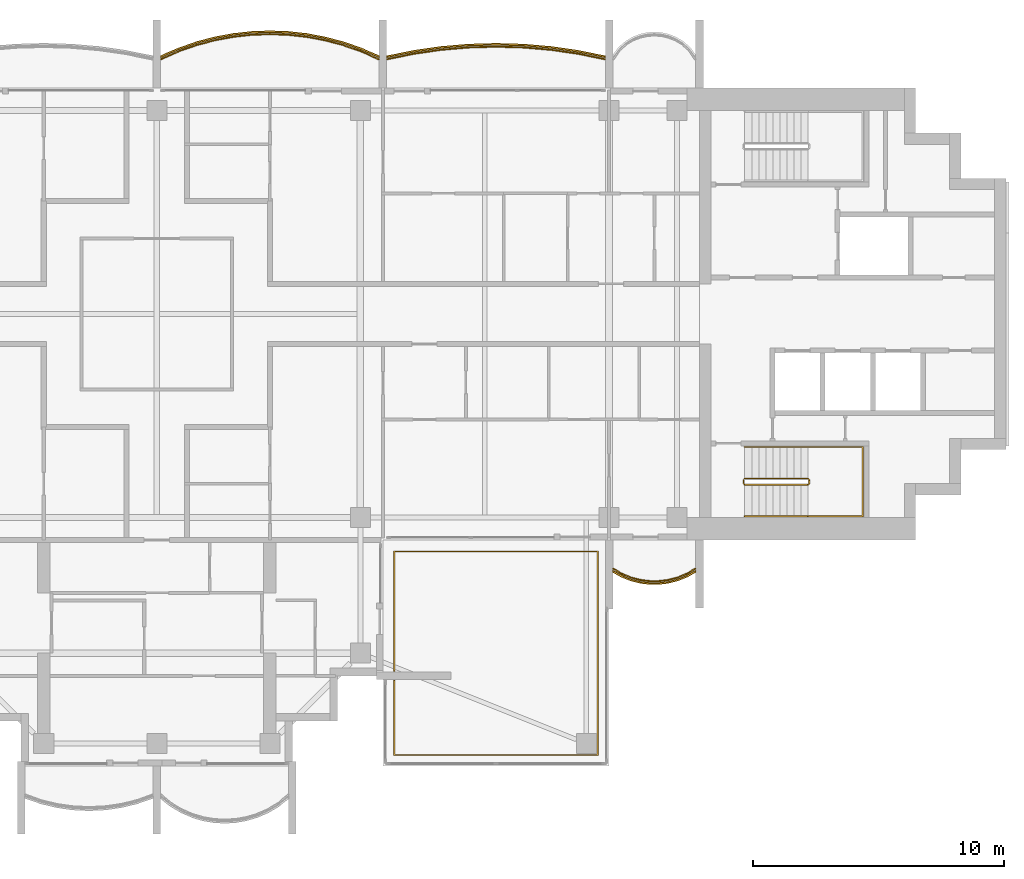
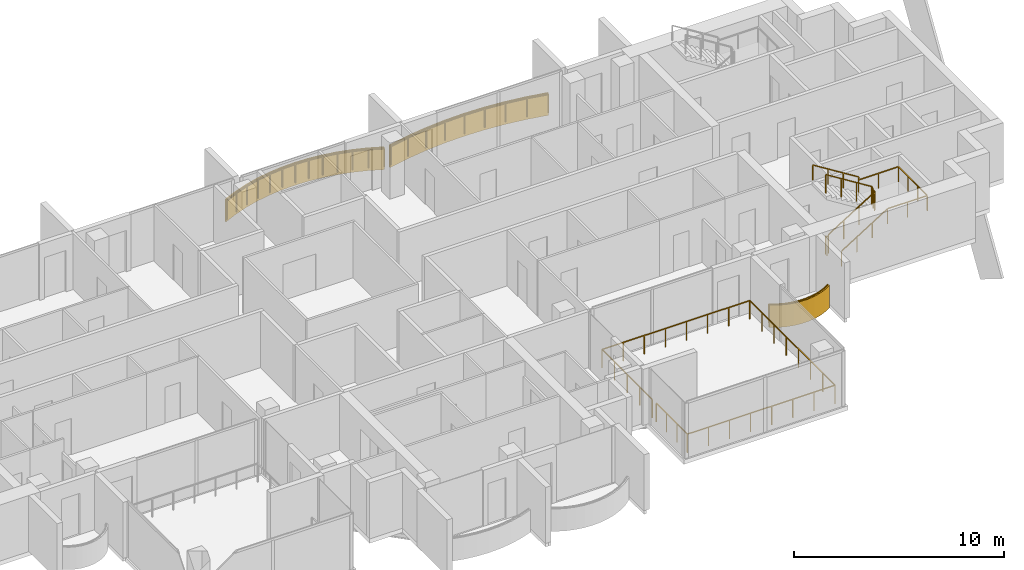
# One storey, part 15 of 16: 6 railings, 3 coverings.
"""IFC4 building model written with IfcOpenShell, lengths in metres."""

import ifcopenshell
import ifcopenshell.guid

model = None  # the IFC model being written
_history = None  # IfcOwnerHistory: only IFC2X3 demands one
_inside = {}  # id of a spatial element -> (the spatial element, [elements in it])
_under = {}  # id of a project, library or spatial element -> (it, [spatial elements below it])
_declared = {}  # id of a project -> (the project, [libraries it declares])
_typed = {}  # id of a type object -> (the type object, [elements of that type])
_made_of = {}  # id of a material, layer set ... -> (it, [elements and type objects made of it])


def new_model(schema):
    """Start an empty IFC model of exactly this schema.

    Asked for "IFC4X3", IfcOpenShell would pick the latest addendum, in which some entities
    have other attributes; the version numbers below select the first issue.
    IFC2X3 requires an IfcOwnerHistory on every rooted entity: one is made here for all.
    """
    global model, _history
    if schema == "IFC4X3":
        model = ifcopenshell.file(schema_version=(4, 3, 0, 0))
    else:
        model = ifcopenshell.file(schema=schema)
    _inside.clear()
    _under.clear()
    _declared.clear()
    _typed.clear()
    _made_of.clear()
    _history = None
    if model.schema == "IFC2X3":
        org = make("IfcOrganization", Name="unknown")
        user = make(
            "IfcPersonAndOrganization",
            ThePerson=make("IfcPerson", FamilyName="unknown"),
            TheOrganization=org,
        )
        app = make(
            "IfcApplication",
            ApplicationDeveloper=org,
            Version="unknown",
            ApplicationFullName="unknown",
            ApplicationIdentifier="unknown",
        )
        _history = make(
            "IfcOwnerHistory",
            OwningUser=user,
            OwningApplication=app,
            ChangeAction="ADDED",
            CreationDate=0,
        )
    return model


def make(cls, **values):
    """One entity of the class cls with the attributes given. An attribute that is None is left unset."""
    return model.create_entity(
        cls, **{name: value for name, value in values.items() if value is not None}
    )


def rooted(cls, **values):
    """An entity with a GlobalId (a new one), such as an element, a storey or a relation."""
    return make(cls, GlobalId=ifcopenshell.guid.new(), OwnerHistory=_history, **values)


def si_unit(unit_type, name, prefix=None):
    """IfcSIUnit, for example si_unit("LENGTHUNIT", "METRE", prefix="MILLI")."""
    return make("IfcSIUnit", UnitType=unit_type, Prefix=prefix, Name=name)


def assignment(units):
    """IfcUnitAssignment: the units of a project."""
    return None if units is None else make("IfcUnitAssignment", Units=units)


def point(xyz):
    """IfcCartesianPoint."""
    return None if xyz is None else make("IfcCartesianPoint", Coordinates=xyz)


def direction(xyz):
    """IfcDirection."""
    return None if xyz is None else make("IfcDirection", DirectionRatios=xyz)


def frame(location, z_axis=None, x_axis=None):
    """IfcAxis2Placement3D, a coordinate frame: its origin and axes. An axis left out is left unset."""
    return make(
        "IfcAxis2Placement3D",
        Location=point(location),
        Axis=direction(z_axis),
        RefDirection=direction(x_axis),
    )


def frame_2d(location, x_axis=None):
    """IfcAxis2Placement2D, a coordinate frame in the plane: its origin and x axis."""
    return make(
        "IfcAxis2Placement2D", Location=point(location), RefDirection=direction(x_axis)
    )


def origin():
    """The frame at (0, 0, 0) with its axes left unset."""
    return frame((0.0, 0.0, 0.0))


def origin_2d():
    """The frame at (0, 0) in the plane with its x axis left unset."""
    return frame_2d((0.0, 0.0))


def place(relative_to, where):
    """IfcLocalPlacement: puts the frame where relative to a parent placement (None: the world)."""
    return make(
        "IfcLocalPlacement", PlacementRelTo=relative_to, RelativePlacement=where
    )


def context(
    kind, dimensions, precision=None, world=None, true_north=None, identifier=None
):
    """IfcGeometricRepresentationContext, for example the 3D "Model" context."""
    return make(
        "IfcGeometricRepresentationContext",
        ContextIdentifier=identifier,
        ContextType=kind,
        CoordinateSpaceDimension=dimensions,
        Precision=precision,
        WorldCoordinateSystem=world,
        TrueNorth=true_north,
    )


def subcontext(parent, identifier, kind, view, scale=None):
    """IfcGeometricRepresentationSubContext, for example "Body" below "Model"."""
    return make(
        "IfcGeometricRepresentationSubContext",
        ContextIdentifier=identifier,
        ContextType=kind,
        ParentContext=parent,
        TargetScale=scale,
        TargetView=view,
    )


def project(units=None, contexts=None):
    """IfcProject with its units and contexts."""
    return rooted(
        "IfcProject",
        Name="project",
        RepresentationContexts=contexts,
        UnitsInContext=assignment(units),
    )


def spatial(cls, under=None, at=None, **own):
    """A site, building, storey or space (cls), placed at a placement, below another one or the project."""
    s = rooted(cls, ObjectPlacement=at, **own)
    if under is not None:
        _under.setdefault(under.id(), (under, []))[1].append(s)
    return s


def polyline(points):
    """IfcPolyline through the points."""
    return make("IfcPolyline", Points=[point(p) for p in points])


def profile(cls, at=None, kind="AREA", **sizes):
    """A parametric profile (cls). Its sizes go by their IFC names, for example OverallWidth=200.0."""
    return make(cls, ProfileType=kind, Position=at, **sizes)


def rectangle(**sizes):
    """IfcRectangleProfileDef."""
    return profile("IfcRectangleProfileDef", **sizes)


def outline(outer, holes=None, kind="AREA"):
    """IfcArbitraryClosedProfileDef: a profile drawn as a closed curve; with holes, ...WithVoids."""
    if holes is None:
        return make("IfcArbitraryClosedProfileDef", ProfileType=kind, OuterCurve=outer)
    return make(
        "IfcArbitraryProfileDefWithVoids",
        ProfileType=kind,
        OuterCurve=outer,
        InnerCurves=holes,
    )


def extrude(swept, where, along, depth):
    """IfcExtrudedAreaSolid: the profile swept, set in the frame where, extruded along a direction by depth."""
    return make(
        "IfcExtrudedAreaSolid",
        SweptArea=swept,
        Position=where,
        ExtrudedDirection=direction(along),
        Depth=depth,
    )


def shape(context_of_items, identifier, shape_type, items):
    """IfcShapeRepresentation: the items that make up one representation, for example the "Body"."""
    return make(
        "IfcShapeRepresentation",
        ContextOfItems=context_of_items,
        RepresentationIdentifier=identifier,
        RepresentationType=shape_type,
        Items=items,
    )


def material(Name=None, Category=None):
    """IfcMaterial."""
    return make("IfcMaterial", Name=Name, Category=Category)


def layer(
    of_material, thickness, ventilated=None, Name=None, Category=None, Priority=None
):
    """IfcMaterialLayer: one layer of a wall or slab, of a material (None: an air gap)."""
    return make(
        "IfcMaterialLayer",
        Material=of_material,
        LayerThickness=thickness,
        IsVentilated=ventilated,
        Name=Name,
        Category=Category,
        Priority=Priority,
    )


def layer_set(layers, Name=None):
    """IfcMaterialLayerSet."""
    return make("IfcMaterialLayerSet", MaterialLayers=layers, LayerSetName=Name)


def made_of(thing, what):
    """Note that an element or type object is made of a material, layer set ...; save() writes the relation."""
    if what is not None:
        _made_of.setdefault(what.id(), (what, []))[1].append(thing)
    return thing


def type_object(cls, material=None, **own):
    """A type object (cls), such as IfcWallType, which elements share."""
    return made_of(rooted(cls, **own), material)


def element(
    cls,
    number,
    at=None,
    inside=None,
    cuts=None,
    type_object=None,
    material=None,
    context=None,
    identifier="Body",
    shape_type=None,
    held_by="IfcProductDefinitionShape",
    body=None,
    shapes=None,
    **own,
):
    """One element of the class cls, such as IfcWall. Its Tag is "e" and its number.

    at: its placement. inside: the storey or other place that contains it. cuts: it is an
    opening in that element (IfcRelVoidsElement). A single representation is given by context,
    identifier, shape_type and body (its items); several are given by shapes. held_by: the class
    of the entity that holds the representations. save() writes the other relations.
    """
    e = rooted(cls, Tag="e%d" % number, ObjectPlacement=at, **own)
    if body is not None:
        shapes = [shape(context, identifier, shape_type, body)]
    if shapes is not None:
        e.Representation = make(held_by, Representations=shapes)
    if inside is not None:
        _inside.setdefault(inside.id(), (inside, []))[1].append(e)
    if cuts is not None:
        rooted(
            "IfcRelVoidsElement", RelatingBuildingElement=cuts, RelatedOpeningElement=e
        )
    if type_object is not None:
        _typed.setdefault(type_object.id(), (type_object, []))[1].append(e)
    return made_of(e, material)


def aggregate(whole, parts):
    """IfcRelAggregates: a whole, such as a stair, and the parts it consists of."""
    return rooted("IfcRelAggregates", RelatingObject=whole, RelatedObjects=parts)


def save(model, path):
    """Write the relations noted so far, then the file.

    IfcRelAggregates (storeys below a building ...), IfcRelContainedInSpatialStructure (elements
    in a storey), IfcRelDefinesByType, IfcRelAssociatesMaterial and IfcRelDeclares: one each for
    every whole, place, type object, material and project.
    """
    for whole, parts in _under.values():
        aggregate(whole, parts)
    for where, things in _inside.values():
        rooted(
            "IfcRelContainedInSpatialStructure",
            RelatedElements=things,
            RelatingStructure=where,
        )
    for kind, things in _typed.values():
        rooted("IfcRelDefinesByType", RelatedObjects=things, RelatingType=kind)
    for what, things in _made_of.values():
        rooted("IfcRelAssociatesMaterial", RelatedObjects=things, RelatingMaterial=what)
    for by, libraries in _declared.values():
        rooted("IfcRelDeclares", RelatingContext=by, RelatedDefinitions=libraries)
    model.write(path)


model = new_model("IFC4")

# Units and contexts
model_context = context("Model", 3, precision=1e-05, world=origin(), true_north=direction((0.0, 1.0)))
body_context = subcontext(model_context, "Body", "Model", "MODEL_VIEW")
ifc_project = project(units=[si_unit("LENGTHUNIT", "METRE"), si_unit("AREAUNIT", "SQUARE_METRE"), si_unit("VOLUMEUNIT", "CUBIC_METRE"), si_unit("PLANEANGLEUNIT", "RADIAN"), si_unit("MASSUNIT", "GRAM", prefix="KILO")], contexts=[model_context])

# Site, building, storey
site_placement = place(None, origin())
site = spatial("IfcSite", under=ifc_project, at=site_placement, CompositionType="ELEMENT")
building_placement = place(site_placement, origin())
building = spatial("IfcBuilding", under=site, at=building_placement, Name="Perihelion Cross Residences", CompositionType="ELEMENT")
storey_placement = place(building_placement, frame((0.0, 0.0, 264.0)))
storey = spatial("IfcBuildingStorey", under=building, at=storey_placement, Name="L67", CompositionType="ELEMENT", Elevation=264.0)

# Coverings
ifc_material_1 = material(Name="Bronze anodised aluminium", Category="aluminium")
ifc_layer = layer(ifc_material_1, 0.070068359375)
ifc_layer_set = layer_set([ifc_layer], Name="Balcony fascia 1300")
covering_type = type_object("IfcCoveringType", Name="Balcony fascia 1300", PredefinedType="CLADDING", material=ifc_layer_set)
covering_1_placement = place(storey_placement, frame((0.0, 0.0, -0.199951171875)))
element("IfcCovering", 1, at=covering_1_placement, inside=storey, type_object=covering_type, Name="Fascia BF1 L67 east side north bay 2", PredefinedType="CLADDING", context=body_context, shape_type="SweptSolid", body=[
    extrude(outline(polyline([(16.7744140625, 10.4892578125), (15.682861328125, 10.645751953125), (14.591552734375, 10.739013671875), (13.5, 10.77001953125), (12.408447265625, 10.739013671875), (11.317138671875, 10.645751953125), (10.2255859375, 10.4892578125), (9.14990234375, 10.271484375), (9.14990234375, 10.199951171875), (10.237548828125, 10.42041015625), (11.324951171875, 10.576171875), (12.41259765625, 10.669189453125), (13.5, 10.699951171875), (14.58740234375, 10.669189453125), (15.675048828125, 10.576171875), (16.762451171875, 10.42041015625), (17.85009765625, 10.199951171875), (17.85009765625, 10.271484375), (16.7744140625, 10.4892578125)])), origin(), (0.0, 0.0, 1.0), 1.300048828125),
])
covering_2_placement = place(storey_placement, frame((0.0, 0.0, -0.199951171875)))
element("IfcCovering", 2, at=covering_2_placement, inside=storey, type_object=covering_type, Name="Fascia BF1 L67 north side east bay 1", PredefinedType="CLADDING", context=body_context, shape_type="SweptSolid", body=[
    extrude(outline(polyline([(8.150634765625, 10.582275390625), (7.42041015625, 10.83544921875), (6.690185546875, 11.028076171875), (5.960205078125, 11.1630859375), (5.22998046875, 11.243408203125), (4.5, 11.27001953125), (3.77001953125, 11.243408203125), (3.039794921875, 11.1630859375), (2.309814453125, 11.028076171875), (1.57958984375, 10.83544921875), (0.849365234375, 10.582275390625), (0.14990234375, 10.2763671875), (0.14990234375, 10.199951171875), (0.875, 10.51708984375), (1.60009765625, 10.7685546875), (2.324951171875, 10.959716796875), (3.050048828125, 11.093994140625), (3.77490234375, 11.173583984375), (4.5, 11.199951171875), (5.22509765625, 11.173583984375), (5.949951171875, 11.093994140625), (6.675048828125, 10.959716796875), (7.39990234375, 10.7685546875), (8.125, 10.51708984375), (8.85009765625, 10.199951171875), (8.85009765625, 10.2763671875), (8.150634765625, 10.582275390625)])), origin(), (0.0, 0.0, 1.0), 1.300048828125),
])
covering_3_placement = place(storey_placement, frame((0.0, 0.0, -0.199951171875)))
element("IfcCovering", 3, at=covering_3_placement, inside=storey, type_object=covering_type, Name="Fascia BF1 L67 east side south bay 2", PredefinedType="CLADDING", context=body_context, shape_type="SweptSolid", body=[
    extrude(outline(polyline([(18.486328125, -10.4716796875), (18.861572265625, -10.62158203125), (19.237060546875, -10.717529296875), (19.6123046875, -10.76416015625), (19.987548828125, -10.76416015625), (20.363037109375, -10.717529296875), (20.73828125, -10.62158203125), (21.11376953125, -10.4716796875), (21.449951171875, -10.280517578125), (21.449951171875, -10.199951171875), (21.083251953125, -10.40869140625), (20.716552734375, -10.55517578125), (20.35009765625, -10.648681640625), (19.9833984375, -10.6943359375), (19.61669921875, -10.6943359375), (19.25, -10.648681640625), (18.88330078125, -10.55517578125), (18.5166015625, -10.40869140625), (18.14990234375, -10.199951171875), (18.14990234375, -10.280517578125), (18.486328125, -10.4716796875)])), origin(), (0.0, 0.0, 1.0), 1.300048828125),
])

# Railings
ifc_material_2 = material(Name="Bronze anodised aluminium", Category="aluminium")
railing_type_1 = type_object("IfcRailingType", Name="Balcony guard 1100", PredefinedType="GUARDRAIL", material=ifc_material_2)
railing_1_placement = place(storey_placement, frame((17.824951171875, 10.139892578125, 0.0)))
element("IfcRailing", 4, at=railing_1_placement, inside=storey, type_object=railing_type_1, Name="Guard GU1 L67 east side north bay 2 balcony", PredefinedType="GUARDRAIL", context=body_context, shape_type="SweptSolid", body=[
    extrude(rectangle(XDim=0.048095703125, YDim=0.048095703125, at=origin_2d()), frame((0.0, 0.0, 1.076171875), z_axis=(-0.979144816647, 0.203163549961, 0.0), x_axis=(-0.203163549961, -0.979144816647, 0.0)), (0.0, 0.0, 1.0), 1.085205078125),
    extrude(rectangle(XDim=0.048095703125, YDim=0.048095703125, at=origin_2d()), frame((-1.0625, 0.220458984375, 1.076171875), z_axis=(-0.98989608354, 0.141794724135, 0.0), x_axis=(-0.141794724135, -0.98989608354, 0.0)), (0.0, 0.0, 1.0), 1.098388671875),
    extrude(rectangle(XDim=0.048095703125, YDim=0.048095703125, at=origin_2d()), frame((-2.14990234375, 0.376220703125, 1.076171875), z_axis=(-0.996362942492, 0.085210837506, 0.0), x_axis=(-0.085210837506, -0.996362942492, 0.0)), (0.0, 0.0, 1.0), 1.091552734375),
    extrude(rectangle(XDim=0.048095703125, YDim=0.048095703125, at=origin_2d()), frame((-3.237548828125, 0.46923828125, 1.076171875), z_axis=(-0.999600101203, 0.028277865458, 0.0), x_axis=(-0.028277865458, -0.999600101203, 0.0)), (0.0, 0.0, 1.0), 1.087890625),
    extrude(rectangle(XDim=0.048095703125, YDim=0.048095703125, at=origin_2d()), frame((-4.324951171875, 0.5, 1.076171875), z_axis=(-0.999600101203, -0.028277865458, 0.0), x_axis=(0.028277865458, -0.999600101203, 0.0)), (0.0, 0.0, 1.0), 1.087890625),
    extrude(rectangle(XDim=0.048095703125, YDim=0.048095703125, at=origin_2d()), frame((-5.412353515625, 0.46923828125, 1.076171875), z_axis=(-0.996362942492, -0.085210837506, 0.0), x_axis=(0.085210837506, -0.996362942492, 0.0)), (0.0, 0.0, 1.0), 1.091552734375),
    extrude(rectangle(XDim=0.048095703125, YDim=0.048095703125, at=origin_2d()), frame((-6.5, 0.376220703125, 1.076171875), z_axis=(-0.98989608354, -0.141794724135, 0.0), x_axis=(0.141794724135, -0.98989608354, 0.0)), (0.0, 0.0, 1.0), 1.098388671875),
    extrude(rectangle(XDim=0.048095703125, YDim=0.048095703125, at=origin_2d()), frame((-7.58740234375, 0.220458984375, 1.076171875), z_axis=(-0.979144816647, -0.203163549961, 0.0), x_axis=(0.203163549961, -0.979144816647, 0.0)), (0.0, 0.0, 1.0), 1.085205078125),
    extrude(rectangle(XDim=0.0419921875, YDim=0.0419921875, at=origin_2d()), origin(), (0.0, 0.0, 1.0), 1.052001953125),
    extrude(rectangle(XDim=0.0419921875, YDim=0.0419921875, at=origin_2d()), frame((-1.0625, 0.220458984375, 0.0)), (0.0, 0.0, 1.0), 1.052001953125),
    extrude(rectangle(XDim=0.0419921875, YDim=0.0419921875, at=origin_2d()), frame((-2.14990234375, 0.376220703125, 0.0)), (0.0, 0.0, 1.0), 1.052001953125),
    extrude(rectangle(XDim=0.0419921875, YDim=0.0419921875, at=origin_2d()), frame((-3.237548828125, 0.46923828125, 0.0)), (0.0, 0.0, 1.0), 1.052001953125),
    extrude(rectangle(XDim=0.0419921875, YDim=0.0419921875, at=origin_2d()), frame((-4.324951171875, 0.5, 0.0)), (0.0, 0.0, 1.0), 1.052001953125),
    extrude(rectangle(XDim=0.0419921875, YDim=0.0419921875, at=origin_2d()), frame((-5.412353515625, 0.46923828125, 0.0)), (0.0, 0.0, 1.0), 1.052001953125),
    extrude(rectangle(XDim=0.0419921875, YDim=0.0419921875, at=origin_2d()), frame((-6.5, 0.376220703125, 0.0)), (0.0, 0.0, 1.0), 1.052001953125),
    extrude(rectangle(XDim=0.0419921875, YDim=0.0419921875, at=origin_2d()), frame((-7.58740234375, 0.220458984375, 0.0)), (0.0, 0.0, 1.0), 1.052001953125),
    extrude(rectangle(XDim=0.0419921875, YDim=0.0419921875, at=origin_2d()), frame((-8.64990234375, 0.0, 0.0)), (0.0, 0.0, 1.0), 1.052001953125),
])
railing_2_placement = place(storey_placement, frame((8.824951171875, 10.139892578125, 0.0)))
element("IfcRailing", 5, at=railing_2_placement, inside=storey, type_object=railing_type_1, Name="Guard GU1 L67 north side east bay 1 balcony", PredefinedType="GUARDRAIL", context=body_context, shape_type="SweptSolid", body=[
    extrude(rectangle(XDim=0.048095703125, YDim=0.048095703125, at=origin_2d()), frame((0.0, 0.0, 1.076171875), z_axis=(-0.910866309087, 0.412701547089, 0.0), x_axis=(-0.412701547089, -0.910866309087, 0.0)), (0.0, 0.0, 1.0), 0.7685546875),
    extrude(rectangle(XDim=0.048095703125, YDim=0.048095703125, at=origin_2d()), frame((-0.699951171875, 0.317138671875, 1.076171875), z_axis=(-0.944796812452, 0.327656807012, 0.0), x_axis=(-0.327656807012, -0.944796812452, 0.0)), (0.0, 0.0, 1.0), 0.767578125),
    extrude(rectangle(XDim=0.048095703125, YDim=0.048095703125, at=origin_2d()), frame((-1.425048828125, 0.568603515625, 1.076171875), z_axis=(-0.966939404945, 0.255006249266, 0.0), x_axis=(-0.255006249266, -0.966939404945, 0.0)), (0.0, 0.0, 1.0), 0.749755859375),
    extrude(rectangle(XDim=0.048095703125, YDim=0.048095703125, at=origin_2d()), frame((-2.14990234375, 0.759765625, 1.076171875), z_axis=(-0.983282004984, 0.182089260182, 0.0), x_axis=(-0.182089260182, -0.983282004984, 0.0)), (0.0, 0.0, 1.0), 0.7373046875),
    extrude(rectangle(XDim=0.048095703125, YDim=0.048095703125, at=origin_2d()), frame((-2.875, 0.89404296875, 1.076171875), z_axis=(-0.994025805622, 0.109145305703, 0.0), x_axis=(-0.109145305703, -0.994025805622, 0.0)), (0.0, 0.0, 1.0), 0.729248046875),
    extrude(rectangle(XDim=0.048095703125, YDim=0.048095703125, at=origin_2d()), frame((-3.599853515625, 0.9736328125, 1.076171875), z_axis=(-0.999339497946, 0.036339618107, 0.0), x_axis=(-0.036339618107, -0.999339497946, 0.0)), (0.0, 0.0, 1.0), 0.7255859375),
    extrude(rectangle(XDim=0.048095703125, YDim=0.048095703125, at=origin_2d()), frame((-4.324951171875, 1.0, 1.076171875), z_axis=(-0.999339497946, -0.036339618107, 0.0), x_axis=(0.036339618107, -0.999339497946, 0.0)), (0.0, 0.0, 1.0), 0.7255859375),
    extrude(rectangle(XDim=0.048095703125, YDim=0.048095703125, at=origin_2d()), frame((-5.050048828125, 0.9736328125, 1.076171875), z_axis=(-0.994025805622, -0.109145305703, 0.0), x_axis=(0.109145305703, -0.994025805622, 0.0)), (0.0, 0.0, 1.0), 0.729248046875),
    extrude(rectangle(XDim=0.048095703125, YDim=0.048095703125, at=origin_2d()), frame((-5.77490234375, 0.89404296875, 1.076171875), z_axis=(-0.983282004984, -0.182089260182, 0.0), x_axis=(0.182089260182, -0.983282004984, 0.0)), (0.0, 0.0, 1.0), 0.7373046875),
    extrude(rectangle(XDim=0.048095703125, YDim=0.048095703125, at=origin_2d()), frame((-6.5, 0.759765625, 1.076171875), z_axis=(-0.966939404945, -0.255006249266, 0.0), x_axis=(0.255006249266, -0.966939404945, 0.0)), (0.0, 0.0, 1.0), 0.749755859375),
    extrude(rectangle(XDim=0.048095703125, YDim=0.048095703125, at=origin_2d()), frame((-7.224853515625, 0.568603515625, 1.076171875), z_axis=(-0.944796812452, -0.327656807012, 0.0), x_axis=(0.327656807012, -0.944796812452, 0.0)), (0.0, 0.0, 1.0), 0.767578125),
    extrude(rectangle(XDim=0.048095703125, YDim=0.048095703125, at=origin_2d()), frame((-7.949951171875, 0.317138671875, 1.076171875), z_axis=(-0.910866309087, -0.412701547089, 0.0), x_axis=(0.412701547089, -0.910866309087, 0.0)), (0.0, 0.0, 1.0), 0.7685546875),
    extrude(rectangle(XDim=0.0419921875, YDim=0.0419921875, at=origin_2d()), origin(), (0.0, 0.0, 1.0), 1.052001953125),
    extrude(rectangle(XDim=0.0419921875, YDim=0.0419921875, at=origin_2d()), frame((-0.699951171875, 0.317138671875, 0.0)), (0.0, 0.0, 1.0), 1.052001953125),
    extrude(rectangle(XDim=0.0419921875, YDim=0.0419921875, at=origin_2d()), frame((-1.425048828125, 0.568603515625, 0.0)), (0.0, 0.0, 1.0), 1.052001953125),
    extrude(rectangle(XDim=0.0419921875, YDim=0.0419921875, at=origin_2d()), frame((-2.14990234375, 0.759765625, 0.0)), (0.0, 0.0, 1.0), 1.052001953125),
    extrude(rectangle(XDim=0.0419921875, YDim=0.0419921875, at=origin_2d()), frame((-2.875, 0.89404296875, 0.0)), (0.0, 0.0, 1.0), 1.052001953125),
    extrude(rectangle(XDim=0.0419921875, YDim=0.0419921875, at=origin_2d()), frame((-3.599853515625, 0.9736328125, 0.0)), (0.0, 0.0, 1.0), 1.052001953125),
    extrude(rectangle(XDim=0.0419921875, YDim=0.0419921875, at=origin_2d()), frame((-4.324951171875, 1.0, 0.0)), (0.0, 0.0, 1.0), 1.052001953125),
    extrude(rectangle(XDim=0.0419921875, YDim=0.0419921875, at=origin_2d()), frame((-5.050048828125, 0.9736328125, 0.0)), (0.0, 0.0, 1.0), 1.052001953125),
    extrude(rectangle(XDim=0.0419921875, YDim=0.0419921875, at=origin_2d()), frame((-5.77490234375, 0.89404296875, 0.0)), (0.0, 0.0, 1.0), 1.052001953125),
    extrude(rectangle(XDim=0.0419921875, YDim=0.0419921875, at=origin_2d()), frame((-6.5, 0.759765625, 0.0)), (0.0, 0.0, 1.0), 1.052001953125),
    extrude(rectangle(XDim=0.0419921875, YDim=0.0419921875, at=origin_2d()), frame((-7.224853515625, 0.568603515625, 0.0)), (0.0, 0.0, 1.0), 1.052001953125),
    extrude(rectangle(XDim=0.0419921875, YDim=0.0419921875, at=origin_2d()), frame((-7.949951171875, 0.317138671875, 0.0)), (0.0, 0.0, 1.0), 1.052001953125),
    extrude(rectangle(XDim=0.0419921875, YDim=0.0419921875, at=origin_2d()), frame((-8.64990234375, 0.0, 0.0)), (0.0, 0.0, 1.0), 1.052001953125),
])
railing_3_placement = place(storey_placement, frame((18.175048828125, -10.139892578125, 0.0)))
element("IfcRailing", 6, at=railing_3_placement, inside=storey, type_object=railing_type_1, Name="Guard GU1 L67 east side south bay 2 balcony", PredefinedType="GUARDRAIL", context=body_context, shape_type="SweptSolid", body=[
    extrude(rectangle(XDim=0.048095703125, YDim=0.048095703125, at=origin_2d()), frame((0.0, 0.0, 1.076171875), z_axis=(0.853266756821, -0.52147467983, 0.0), x_axis=(0.52147467983, 0.853266756821, 0.0)), (0.0, 0.0, 1.0), 0.400390625),
    extrude(rectangle(XDim=0.048095703125, YDim=0.048095703125, at=origin_2d()), frame((0.341552734375, -0.208740234375, 1.076171875), z_axis=(0.928647151248, -0.37096424151, 0.0), x_axis=(0.37096424151, 0.928647151248, 0.0)), (0.0, 0.0, 1.0), 0.394775390625),
    extrude(rectangle(XDim=0.048095703125, YDim=0.048095703125, at=origin_2d()), frame((0.708251953125, -0.355224609375, 1.076171875), z_axis=(0.968993337782, -0.247086849781, 0.0), x_axis=(0.247086849781, 0.968993337782, 0.0)), (0.0, 0.0, 1.0), 0.37841796875),
    extrude(rectangle(XDim=0.048095703125, YDim=0.048095703125, at=origin_2d()), frame((1.074951171875, -0.44873046875, 1.076171875), z_axis=(0.992338742457, -0.123546834114, 0.0), x_axis=(0.123546834114, 0.992338742457, 0.0)), (0.0, 0.0, 1.0), 0.36962890625),
    extrude(rectangle(XDim=0.048095703125, YDim=0.048095703125, at=origin_2d()), frame((1.441650390625, -0.494384765625, 1.076171875), z_axis=(1.0, 0.0, 0.0), x_axis=(0.0, 1.0, 0.0)), (0.0, 0.0, 1.0), 0.36669921875),
    extrude(rectangle(XDim=0.048095703125, YDim=0.048095703125, at=origin_2d()), frame((1.808349609375, -0.494384765625, 1.076171875), z_axis=(0.992338742457, 0.123546834114, 0.0), x_axis=(-0.123546834114, 0.992338742457, 0.0)), (0.0, 0.0, 1.0), 0.36962890625),
    extrude(rectangle(XDim=0.048095703125, YDim=0.048095703125, at=origin_2d()), frame((2.175048828125, -0.44873046875, 1.076171875), z_axis=(0.968953914071, 0.247241405123, 0.0), x_axis=(-0.247241405123, 0.968953914071, 0.0)), (0.0, 0.0, 1.0), 0.378173828125),
    extrude(rectangle(XDim=0.048095703125, YDim=0.048095703125, at=origin_2d()), frame((2.54150390625, -0.355224609375, 1.076171875), z_axis=(0.928647151248, 0.37096424151, 0.0), x_axis=(-0.37096424151, 0.928647151248, 0.0)), (0.0, 0.0, 1.0), 0.394775390625),
    extrude(rectangle(XDim=0.048095703125, YDim=0.048095703125, at=origin_2d()), frame((2.908203125, -0.208740234375, 1.076171875), z_axis=(0.853432484338, 0.521203410078, 0.0), x_axis=(-0.521203410078, 0.853432484338, 0.0)), (0.0, 0.0, 1.0), 0.400390625),
    extrude(rectangle(XDim=0.0419921875, YDim=0.0419921875, at=origin_2d()), origin(), (0.0, 0.0, 1.0), 1.052001953125),
    extrude(rectangle(XDim=0.0419921875, YDim=0.0419921875, at=origin_2d()), frame((0.341552734375, -0.208740234375, 0.0)), (0.0, 0.0, 1.0), 1.052001953125),
    extrude(rectangle(XDim=0.0419921875, YDim=0.0419921875, at=origin_2d()), frame((0.708251953125, -0.355224609375, 0.0)), (0.0, 0.0, 1.0), 1.052001953125),
    extrude(rectangle(XDim=0.0419921875, YDim=0.0419921875, at=origin_2d()), frame((1.074951171875, -0.44873046875, 0.0)), (0.0, 0.0, 1.0), 1.052001953125),
    extrude(rectangle(XDim=0.0419921875, YDim=0.0419921875, at=origin_2d()), frame((1.441650390625, -0.494384765625, 0.0)), (0.0, 0.0, 1.0), 1.052001953125),
    extrude(rectangle(XDim=0.0419921875, YDim=0.0419921875, at=origin_2d()), frame((1.808349609375, -0.494384765625, 0.0)), (0.0, 0.0, 1.0), 1.052001953125),
    extrude(rectangle(XDim=0.0419921875, YDim=0.0419921875, at=origin_2d()), frame((2.175048828125, -0.44873046875, 0.0)), (0.0, 0.0, 1.0), 1.052001953125),
    extrude(rectangle(XDim=0.0419921875, YDim=0.0419921875, at=origin_2d()), frame((2.54150390625, -0.355224609375, 0.0)), (0.0, 0.0, 1.0), 1.052001953125),
    extrude(rectangle(XDim=0.0419921875, YDim=0.0419921875, at=origin_2d()), frame((2.908203125, -0.208740234375, 0.0)), (0.0, 0.0, 1.0), 1.052001953125),
    extrude(rectangle(XDim=0.0419921875, YDim=0.0419921875, at=origin_2d()), frame((3.25, 0.0, 0.0)), (0.0, 0.0, 1.0), 1.052001953125),
])
railing_4_placement = place(storey_placement, frame((9.449951171875, -14.2099609375, 0.0)))
element("IfcRailing", 7, at=railing_4_placement, inside=storey, type_object=railing_type_1, Name="Guard GU1 L67 pocket south-east 1", PredefinedType="GUARDRAIL", context=body_context, shape_type="SweptSolid", body=[
    extrude(rectangle(XDim=0.048095703125, YDim=0.048095703125, at=origin_2d()), frame((0.0, 0.0, 1.076171875), z_axis=(0.0, 1.0, 0.0), x_axis=(-1.0, 0.0, 0.0)), (0.0, 0.0, 1.0), 4.760009765625),
    extrude(rectangle(XDim=0.048095703125, YDim=0.048095703125, at=origin_2d()), frame((0.0, 4.760009765625, 1.076171875), z_axis=(1.0, 0.0, 0.0), x_axis=(0.0, 1.0, 0.0)), (0.0, 0.0, 1.0), 8.10009765625),
    extrude(rectangle(XDim=0.048095703125, YDim=0.048095703125, at=origin_2d()), frame((8.10009765625, 4.760009765625, 1.076171875), z_axis=(0.0, -1.0, 0.0), x_axis=(1.0, 0.0, 0.0)), (0.0, 0.0, 1.0), 8.10009765625),
    extrude(rectangle(XDim=0.048095703125, YDim=0.048095703125, at=origin_2d()), frame((8.10009765625, -3.340087890625, 1.076171875), z_axis=(-1.0, 0.0, 0.0), x_axis=(0.0, -1.0, 0.0)), (0.0, 0.0, 1.0), 8.10009765625),
    extrude(rectangle(XDim=0.048095703125, YDim=0.048095703125, at=origin_2d()), frame((0.0, -3.340087890625, 1.076171875), z_axis=(0.0, 1.0, 0.0), x_axis=(-1.0, 0.0, 0.0)), (0.0, 0.0, 1.0), 2.9599609375),
    extrude(rectangle(XDim=0.0419921875, YDim=0.0419921875, at=origin_2d()), origin(), (0.0, 0.0, 1.0), 1.052001953125),
    extrude(rectangle(XDim=0.0419921875, YDim=0.0419921875, at=origin_2d()), frame((0.0, 1.18994140625, 0.0)), (0.0, 0.0, 1.0), 1.052001953125),
    extrude(rectangle(XDim=0.0419921875, YDim=0.0419921875, at=origin_2d()), frame((0.0, 2.3798828125, 0.0)), (0.0, 0.0, 1.0), 1.052001953125),
    extrude(rectangle(XDim=0.0419921875, YDim=0.0419921875, at=origin_2d()), frame((0.0, 3.570068359375, 0.0)), (0.0, 0.0, 1.0), 1.052001953125),
    extrude(rectangle(XDim=0.0419921875, YDim=0.0419921875, at=origin_2d()), frame((0.0, 4.760009765625, 0.0)), (0.0, 0.0, 1.0), 1.052001953125),
    extrude(rectangle(XDim=0.0419921875, YDim=0.0419921875, at=origin_2d()), frame((1.1572265625, 4.760009765625, 0.0)), (0.0, 0.0, 1.0), 1.052001953125),
    extrude(rectangle(XDim=0.0419921875, YDim=0.0419921875, at=origin_2d()), frame((2.314208984375, 4.760009765625, 0.0)), (0.0, 0.0, 1.0), 1.052001953125),
    extrude(rectangle(XDim=0.0419921875, YDim=0.0419921875, at=origin_2d()), frame((3.471435546875, 4.760009765625, 0.0)), (0.0, 0.0, 1.0), 1.052001953125),
    extrude(rectangle(XDim=0.0419921875, YDim=0.0419921875, at=origin_2d()), frame((4.628662109375, 4.760009765625, 0.0)), (0.0, 0.0, 1.0), 1.052001953125),
    extrude(rectangle(XDim=0.0419921875, YDim=0.0419921875, at=origin_2d()), frame((5.785888671875, 4.760009765625, 0.0)), (0.0, 0.0, 1.0), 1.052001953125),
    extrude(rectangle(XDim=0.0419921875, YDim=0.0419921875, at=origin_2d()), frame((6.94287109375, 4.760009765625, 0.0)), (0.0, 0.0, 1.0), 1.052001953125),
    extrude(rectangle(XDim=0.0419921875, YDim=0.0419921875, at=origin_2d()), frame((8.10009765625, 4.760009765625, 0.0)), (0.0, 0.0, 1.0), 1.052001953125),
    extrude(rectangle(XDim=0.0419921875, YDim=0.0419921875, at=origin_2d()), frame((8.10009765625, 3.602783203125, 0.0)), (0.0, 0.0, 1.0), 1.052001953125),
    extrude(rectangle(XDim=0.0419921875, YDim=0.0419921875, at=origin_2d()), frame((8.10009765625, 2.44580078125, 0.0)), (0.0, 0.0, 1.0), 1.052001953125),
    extrude(rectangle(XDim=0.0419921875, YDim=0.0419921875, at=origin_2d()), frame((8.10009765625, 1.28857421875, 0.0)), (0.0, 0.0, 1.0), 1.052001953125),
    extrude(rectangle(XDim=0.0419921875, YDim=0.0419921875, at=origin_2d()), frame((8.10009765625, 0.13134765625, 0.0)), (0.0, 0.0, 1.0), 1.052001953125),
    extrude(rectangle(XDim=0.0419921875, YDim=0.0419921875, at=origin_2d()), frame((8.10009765625, -1.02587890625, 0.0)), (0.0, 0.0, 1.0), 1.052001953125),
    extrude(rectangle(XDim=0.0419921875, YDim=0.0419921875, at=origin_2d()), frame((8.10009765625, -2.182861328125, 0.0)), (0.0, 0.0, 1.0), 1.052001953125),
    extrude(rectangle(XDim=0.0419921875, YDim=0.0419921875, at=origin_2d()), frame((8.10009765625, -3.340087890625, 0.0)), (0.0, 0.0, 1.0), 1.052001953125),
    extrude(rectangle(XDim=0.0419921875, YDim=0.0419921875, at=origin_2d()), frame((6.94287109375, -3.340087890625, 0.0)), (0.0, 0.0, 1.0), 1.052001953125),
    extrude(rectangle(XDim=0.0419921875, YDim=0.0419921875, at=origin_2d()), frame((5.785888671875, -3.340087890625, 0.0)), (0.0, 0.0, 1.0), 1.052001953125),
    extrude(rectangle(XDim=0.0419921875, YDim=0.0419921875, at=origin_2d()), frame((4.628662109375, -3.340087890625, 0.0)), (0.0, 0.0, 1.0), 1.052001953125),
    extrude(rectangle(XDim=0.0419921875, YDim=0.0419921875, at=origin_2d()), frame((3.471435546875, -3.340087890625, 0.0)), (0.0, 0.0, 1.0), 1.052001953125),
    extrude(rectangle(XDim=0.0419921875, YDim=0.0419921875, at=origin_2d()), frame((2.314208984375, -3.340087890625, 0.0)), (0.0, 0.0, 1.0), 1.052001953125),
    extrude(rectangle(XDim=0.0419921875, YDim=0.0419921875, at=origin_2d()), frame((1.1572265625, -3.340087890625, 0.0)), (0.0, 0.0, 1.0), 1.052001953125),
    extrude(rectangle(XDim=0.0419921875, YDim=0.0419921875, at=origin_2d()), frame((0.0, -3.340087890625, 0.0)), (0.0, 0.0, 1.0), 1.052001953125),
    extrude(rectangle(XDim=0.0419921875, YDim=0.0419921875, at=origin_2d()), frame((0.0, -2.353515625, 0.0)), (0.0, 0.0, 1.0), 1.052001953125),
    extrude(rectangle(XDim=0.0419921875, YDim=0.0419921875, at=origin_2d()), frame((0.0, -1.36669921875, 0.0)), (0.0, 0.0, 1.0), 1.052001953125),
    extrude(rectangle(XDim=0.0419921875, YDim=0.0419921875, at=origin_2d()), frame((0.0, -0.380126953125, 0.0)), (0.0, 0.0, 1.0), 1.052001953125),
])
ifc_material_3 = material(Name="Stainless steel", Category="steel")
railing_type_2 = type_object("IfcRailingType", Name="Stair guard 1100", PredefinedType="GUARDRAIL", material=ifc_material_3)
railing_5_placement = place(storey_placement, frame((23.35009765625, -6.60009765625, 0.0)))
element("IfcRailing", 8, at=railing_5_placement, inside=storey, type_object=railing_type_2, Name="L67 ST-E2 stair guard 1", PredefinedType="GUARDRAIL", context=body_context, shape_type="SweptSolid", body=[
    extrude(rectangle(XDim=0.048095703125, YDim=0.048095703125, at=origin_2d()), frame((0.0, 0.0, 1.076171875), z_axis=(0.0, -1.0, 0.0), x_axis=(1.0, 0.0, 0.0)), (0.0, 0.0, 1.0), 0.14990234375),
    extrude(rectangle(XDim=0.048095703125, YDim=0.048095703125, at=origin_2d()), frame((0.0, -0.14990234375, 1.076171875), z_axis=(0.263862480399, -0.265155923931, 0.927399011991), x_axis=(0.708833529934, 0.705375805398, 0.0)), (0.0, 0.0, 1.0), 0.188720703125),
    extrude(rectangle(XDim=0.048095703125, YDim=0.048095703125, at=origin_2d()), frame((0.0498046875, -0.199951171875, 1.2509765625), z_axis=(0.848007534815, 0.0, 0.529984170421), x_axis=(0.0, 1.0, 0.0)), (0.0, 0.0, 1.0), 2.9716796875),
    extrude(rectangle(XDim=0.048095703125, YDim=0.048095703125, at=origin_2d()), frame((2.56982421875, -0.199951171875, 2.826171875), z_axis=(0.707106781187, 0.707106781187, 0.0), x_axis=(-0.707106781187, 0.707106781187, 0.0)), (0.0, 0.0, 1.0), 0.07080078125),
    extrude(rectangle(XDim=0.048095703125, YDim=0.048095703125, at=origin_2d()), frame((2.619873046875, -0.14990234375, 2.826171875), z_axis=(0.0, 1.0, 0.0), x_axis=(-1.0, 0.0, 0.0)), (0.0, 0.0, 1.0), 0.14990234375),
    extrude(rectangle(XDim=0.048095703125, YDim=0.048095703125, at=origin_2d()), frame((2.619873046875, 0.0, 2.826171875), z_axis=(-0.265065253269, 0.265065253269, 0.927081885822), x_axis=(-0.707106781187, -0.707106781187, 0.0)), (0.0, 0.0, 1.0), 0.188720703125),
    extrude(rectangle(XDim=0.048095703125, YDim=0.048095703125, at=origin_2d()), frame((2.56982421875, 0.050048828125, 3.0009765625), z_axis=(-0.848007534815, 0.0, 0.529984170421), x_axis=(0.0, -1.0, 0.0)), (0.0, 0.0, 1.0), 2.9716796875),
    extrude(rectangle(XDim=0.0419921875, YDim=0.0419921875, at=origin_2d()), origin(), (0.0, 0.0, 1.0), 1.052001953125),
    extrude(rectangle(XDim=0.0419921875, YDim=0.0419921875, at=origin_2d()), frame((0.0, -0.14990234375, 0.0)), (0.0, 0.0, 1.0), 1.052001953125),
    extrude(rectangle(XDim=0.0419921875, YDim=0.0419921875, at=origin_2d()), frame((0.0498046875, -0.199951171875, 0.175048828125)), (0.0, 0.0, 1.0), 1.052001953125),
    extrude(rectangle(XDim=0.0419921875, YDim=0.0419921875, at=origin_2d()), frame((0.889892578125, -0.199951171875, 0.699951171875)), (0.0, 0.0, 1.0), 1.052001953125),
    extrude(rectangle(XDim=0.0419921875, YDim=0.0419921875, at=origin_2d()), frame((1.729736328125, -0.199951171875, 1.22509765625)), (0.0, 0.0, 1.0), 1.052001953125),
    extrude(rectangle(XDim=0.0419921875, YDim=0.0419921875, at=origin_2d()), frame((2.56982421875, -0.199951171875, 1.75)), (0.0, 0.0, 1.0), 1.052001953125),
    extrude(rectangle(XDim=0.0419921875, YDim=0.0419921875, at=origin_2d()), frame((2.619873046875, -0.14990234375, 1.75)), (0.0, 0.0, 1.0), 1.052001953125),
    extrude(rectangle(XDim=0.0419921875, YDim=0.0419921875, at=origin_2d()), frame((2.619873046875, 0.0, 1.75)), (0.0, 0.0, 1.0), 1.052001953125),
    extrude(rectangle(XDim=0.0419921875, YDim=0.0419921875, at=origin_2d()), frame((2.56982421875, 0.050048828125, 1.925048828125)), (0.0, 0.0, 1.0), 1.052001953125),
    extrude(rectangle(XDim=0.0419921875, YDim=0.0419921875, at=origin_2d()), frame((1.729736328125, 0.050048828125, 2.449951171875)), (0.0, 0.0, 1.0), 1.052001953125),
    extrude(rectangle(XDim=0.0419921875, YDim=0.0419921875, at=origin_2d()), frame((0.889892578125, 0.050048828125, 2.97509765625)), (0.0, 0.0, 1.0), 1.052001953125),
    extrude(rectangle(XDim=0.0419921875, YDim=0.0419921875, at=origin_2d()), frame((0.0498046875, 0.050048828125, 3.5)), (0.0, 0.0, 1.0), 1.052001953125),
])
ifc_material_4 = material(Name="Stainless steel", Category="steel")
railing_type_3 = type_object("IfcRailingType", Name="Stair handrail 900", PredefinedType="HANDRAIL", material=ifc_material_4)
railing_6_placement = place(storey_placement, frame((23.39990234375, -8.050048828125, 0.175048828125)))
element("IfcRailing", 9, at=railing_6_placement, inside=storey, type_object=railing_type_3, Name="L67 ST-E2 stair handrail 1", PredefinedType="HANDRAIL", context=body_context, shape_type="SweptSolid", body=[
    extrude(rectangle(XDim=0.048095703125, YDim=0.048095703125, at=origin_2d()), frame((0.0, 0.0, 0.8759765625), z_axis=(0.848007534815, 0.0, 0.529984170421), x_axis=(0.0, 1.0, 0.0)), (0.0, 0.0, 1.0), 2.9716796875),
    extrude(rectangle(XDim=0.048095703125, YDim=0.048095703125, at=origin_2d()), frame((2.52001953125, 0.0, 2.45068359375), z_axis=(1.0, 0.0, 0.0), x_axis=(0.0, 1.0, 0.0)), (0.0, 0.0, 1.0), 2.18017578125),
    extrude(rectangle(XDim=0.048095703125, YDim=0.048095703125, at=origin_2d()), frame((4.7001953125, 0.0, 2.45068359375), z_axis=(0.0, 1.0, 0.0), x_axis=(-1.0, 0.0, 0.0)), (0.0, 0.0, 1.0), 2.75),
    extrude(rectangle(XDim=0.048095703125, YDim=0.048095703125, at=origin_2d()), frame((4.7001953125, 2.75, 2.45068359375), z_axis=(-1.0, 0.0, 0.0), x_axis=(0.0, -1.0, 0.0)), (0.0, 0.0, 1.0), 2.18017578125),
    extrude(rectangle(XDim=0.048095703125, YDim=0.048095703125, at=origin_2d()), frame((2.52001953125, 2.75, 2.45068359375), z_axis=(0.0, 0.0, 1.0), x_axis=(1.0, 0.0, 0.0)), (0.0, 0.0, 1.0), 0.175048828125),
    extrude(rectangle(XDim=0.048095703125, YDim=0.048095703125, at=origin_2d()), frame((2.52001953125, 2.75, 2.6259765625), z_axis=(-0.848007534815, 0.0, 0.529984170421), x_axis=(0.0, -1.0, 0.0)), (0.0, 0.0, 1.0), 2.9716796875),
    extrude(rectangle(XDim=0.0419921875, YDim=0.0419921875, at=origin_2d()), origin(), (0.0, 0.0, 1.0), 0.851806640625),
    extrude(rectangle(XDim=0.0419921875, YDim=0.0419921875, at=origin_2d()), frame((0.840087890625, 0.0, 0.52490234375)), (0.0, 0.0, 1.0), 0.851806640625),
    extrude(rectangle(XDim=0.0419921875, YDim=0.0419921875, at=origin_2d()), frame((1.679931640625, 0.0, 1.050048828125)), (0.0, 0.0, 1.0), 0.851806640625),
    extrude(rectangle(XDim=0.0419921875, YDim=0.0419921875, at=origin_2d()), frame((2.52001953125, 0.0, 1.574951171875)), (0.0, 0.0, 1.0), 0.851806640625),
    extrude(rectangle(XDim=0.0419921875, YDim=0.0419921875, at=origin_2d()), frame((3.610107421875, 0.0, 1.574951171875)), (0.0, 0.0, 1.0), 0.851806640625),
    extrude(rectangle(XDim=0.0419921875, YDim=0.0419921875, at=origin_2d()), frame((4.7001953125, 0.0, 1.574951171875)), (0.0, 0.0, 1.0), 0.851806640625),
    extrude(rectangle(XDim=0.0419921875, YDim=0.0419921875, at=origin_2d()), frame((4.7001953125, 0.916748046875, 1.574951171875)), (0.0, 0.0, 1.0), 0.851806640625),
    extrude(rectangle(XDim=0.0419921875, YDim=0.0419921875, at=origin_2d()), frame((4.7001953125, 1.833251953125, 1.574951171875)), (0.0, 0.0, 1.0), 0.851806640625),
    extrude(rectangle(XDim=0.0419921875, YDim=0.0419921875, at=origin_2d()), frame((4.7001953125, 2.75, 1.574951171875)), (0.0, 0.0, 1.0), 0.851806640625),
    extrude(rectangle(XDim=0.0419921875, YDim=0.0419921875, at=origin_2d()), frame((3.610107421875, 2.75, 1.574951171875)), (0.0, 0.0, 1.0), 0.851806640625),
    extrude(rectangle(XDim=0.0419921875, YDim=0.0419921875, at=origin_2d()), frame((2.52001953125, 2.75, 1.574951171875)), (0.0, 0.0, 1.0), 0.851806640625),
    extrude(rectangle(XDim=0.0419921875, YDim=0.0419921875, at=origin_2d()), frame((2.52001953125, 2.75, 1.75)), (0.0, 0.0, 1.0), 0.851806640625),
    extrude(rectangle(XDim=0.0419921875, YDim=0.0419921875, at=origin_2d()), frame((1.679931640625, 2.75, 2.27490234375)), (0.0, 0.0, 1.0), 0.851806640625),
    extrude(rectangle(XDim=0.0419921875, YDim=0.0419921875, at=origin_2d()), frame((0.840087890625, 2.75, 2.800048828125)), (0.0, 0.0, 1.0), 0.851806640625),
    extrude(rectangle(XDim=0.0419921875, YDim=0.0419921875, at=origin_2d()), frame((0.0, 2.75, 3.324951171875)), (0.0, 0.0, 1.0), 0.851806640625),
])

save(model, "model.ifc")
